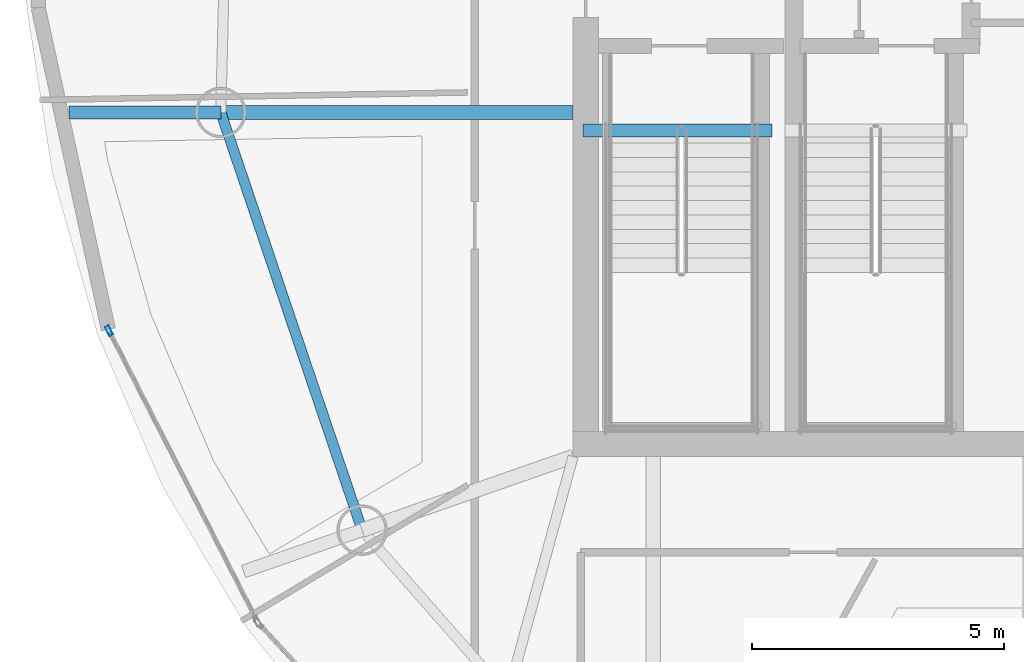
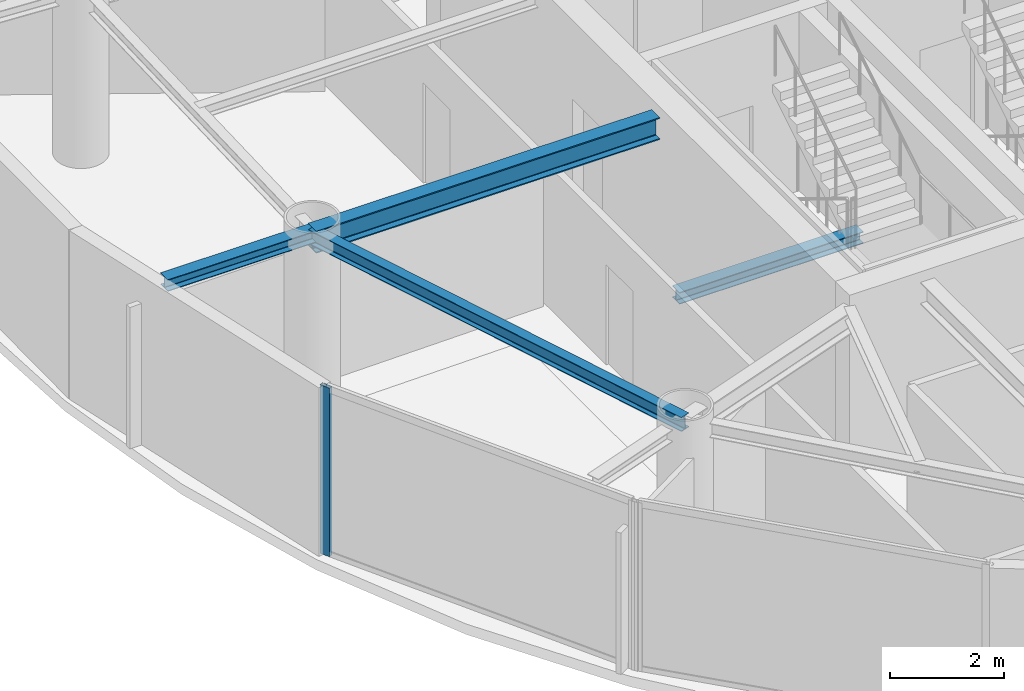
# One storey, part 7 of 22: 4 beams, 1 member, 1 element without a shape of its own.
"""IFC4 building model written with IfcOpenShell, lengths in metres."""

from ifc_helpers import new_model, si_unit, direction, frame, origin, origin_2d, place, context, subcontext, project, spatial, hollow_rectangle, i_section, extrude, material, layer, layer_set, material_profile, profile_set, type_object, element, aggregate, save


model = new_model("IFC4")

# Units and contexts
model_context = context("Model", 3, precision=1e-05, world=origin(), true_north=direction((0.0, 1.0)))
body_context = subcontext(model_context, "Body", "Model", "MODEL_VIEW")
ifc_project = project(units=[si_unit("LENGTHUNIT", "METRE"), si_unit("AREAUNIT", "SQUARE_METRE"), si_unit("VOLUMEUNIT", "CUBIC_METRE"), si_unit("PLANEANGLEUNIT", "RADIAN"), si_unit("MASSUNIT", "GRAM", prefix="KILO")], contexts=[model_context])

# Site, building, storey
site_placement = place(None, origin())
site = spatial("IfcSite", under=ifc_project, at=site_placement, CompositionType="ELEMENT")
building_placement = place(site_placement, origin())
building = spatial("IfcBuilding", under=site, at=building_placement, Name="Bramvorn Convention Spire", CompositionType="ELEMENT")
storey_placement = place(building_placement, frame((0.0, 0.0, 253.60009765625)))
storey = spatial("IfcBuildingStorey", under=building, at=storey_placement, Name="L64", CompositionType="ELEMENT", Elevation=253.60009765625)

# Beams
ifc_material_1 = material(Name="Steel CSA G40.21 Grade 350 (350W)", Category="steel")
ifc_material_profile_1 = material_profile(ifc_material_1, i_section(OverallWidth=0.25390625, OverallDepth=0.2529296875, WebThickness=0.008544921875, FlangeThickness=0.01416015625, FilletRadius=0.011962890625, at=origin_2d()))
ifc_profile_set_1 = profile_set([ifc_material_profile_1], Name="Steel CSA G40.21 Grade 350 (350W) - W250X73")
beam_type_1 = type_object("IfcBeamType", Name="BM-W250X73", PredefinedType="BEAM", material=ifc_profile_set_1)
beam_1_placement = place(storey_placement, frame((19.765380859375, 25.37060546875, 3.498291015625), z_axis=(-1.0, 0.0, 0.0), x_axis=(0.0, -1.0, 0.0)))
element("IfcBeam", 1, at=beam_1_placement, inside=storey, type_object=beam_type_1, Name="L64 slab-edge cantilever tip beam MC12", PredefinedType="BEAM", context=body_context, shape_type="SweptSolid", body=[
    extrude(i_section(OverallWidth=0.25390625, OverallDepth=0.2529296875, WebThickness=0.008544921875, FlangeThickness=0.01416015625, FilletRadius=0.011962890625, at=origin_2d()), origin(), (0.0, 0.0, 1.0), 3.009765625),
])
beam_2_placement = place(storey_placement, frame((26.949951171875, 25.010009765625, -0.126708984375), z_axis=(1.0, 0.0, 0.0), x_axis=(0.0, 1.0, 0.0)))
element("IfcBeam", 2, at=beam_2_placement, inside=storey, type_object=beam_type_1, Name="L64 ST1 stair arrival header beam", PredefinedType="BEAM", context=body_context, shape_type="SweptSolid", body=[
    extrude(i_section(OverallWidth=0.25390625, OverallDepth=0.2529296875, WebThickness=0.008544921875, FlangeThickness=0.01416015625, FilletRadius=0.011962890625, at=origin_2d()), origin(), (0.0, 0.0, 1.0), 3.739990234375),
])
ifc_material_profile_2 = material_profile(ifc_material_1, i_section(OverallWidth=0.202880859375, OverallDepth=0.302978515625, WebThickness=0.007568359375, FlangeThickness=0.01318359375, FilletRadius=0.013916015625, at=origin_2d()))
ifc_profile_set_2 = profile_set([ifc_material_profile_2], Name="Steel CSA G40.21 Grade 350 (350W) - W310X60")
beam_type_2 = type_object("IfcBeamType", Name="BM-W310X60", PredefinedType="JOIST", material=ifc_profile_set_2)
beam_3_placement = place(storey_placement, frame((19.765380859375, 25.37060546875, 3.473388671875), z_axis=(0.320531023763, -0.947238018032, 0.0), x_axis=(0.947238018032, 0.320531023763, 0.0)))
element("IfcBeam", 3, at=beam_3_placement, inside=storey, type_object=beam_type_2, Name="L64 mega-column ring beam 12", PredefinedType="JOIST", context=body_context, shape_type="SweptSolid", body=[
    extrude(i_section(OverallWidth=0.202880859375, OverallDepth=0.302978515625, WebThickness=0.007568359375, FlangeThickness=0.01318359375, FilletRadius=0.013916015625, at=origin_2d()), origin(), (0.0, 0.0, 1.0), 8.74169921875),
])
ifc_material_profile_3 = material_profile(ifc_material_1, i_section(OverallWidth=0.283935546875, OverallDepth=0.47607421875, WebThickness=0.014892578125, FlangeThickness=0.02392578125, FilletRadius=0.01806640625, at=origin_2d()))
ifc_profile_set_3 = profile_set([ifc_material_profile_3], Name="Steel CSA G40.21 Grade 350 (350W) - W460X158")
beam_type_3 = type_object("IfcBeamType", Name="BM-W460X158", PredefinedType="SPANDREL", material=ifc_profile_set_3)
beam_4_placement = place(storey_placement, frame((26.75, 25.37060546875, 3.386962890625), z_axis=(-1.0, 0.0, 0.0), x_axis=(0.0, -1.0, 0.0)))
element("IfcBeam", 4, at=beam_4_placement, inside=storey, type_object=beam_type_3, Name="L64 radial floor girder MC12", PredefinedType="SPANDREL", context=body_context, shape_type="SweptSolid", body=[
    extrude(i_section(OverallWidth=0.283935546875, OverallDepth=0.47607421875, WebThickness=0.014892578125, FlangeThickness=0.02392578125, FilletRadius=0.01806640625, at=origin_2d()), origin(), (0.0, 0.0, 1.0), 6.984619140625),
])

# Curtain wall, member
ifc_material_2 = material(Name="Anodised Bronze Unitised Curtain Wall", Category="aluminium")
ifc_layer = layer(ifc_material_2, 0.179931640625)
ifc_layer_set = layer_set([ifc_layer], Name="Anodised Bronze Unitised Curtain Wall - CW-OFF-FRIT")
curtain_wall_type = type_object("IfcCurtainWallType", Name="CW-OFF-FRIT", PredefinedType="USERDEFINED", material=ifc_layer_set)
curtain_wall_placement = place(storey_placement, origin())
curtain_wall = element("IfcCurtainWall", 5, at=curtain_wall_placement, inside=storey, type_object=curtain_wall_type, Name="L64 fritted glass curtain wall 18", ObjectType="UNITISED CURTAIN WALL", PredefinedType="USERDEFINED")
ifc_material_3 = material(Name="Anodised Bronze Aluminium 6063-T6", Category="aluminium")
ifc_material_profile_4 = material_profile(ifc_material_3, hollow_rectangle(XDim=0.080078125, YDim=0.199951171875, WallThickness=0.00390625, InnerFilletRadius=0.0009765625, OuterFilletRadius=0.00390625, at=origin_2d()))
ifc_profile_set_4 = profile_set([ifc_material_profile_4], Name="Anodised Bronze Aluminium 6063-T6 - CWM80X200")
member_type = type_object("IfcMemberType", Name="CW-MUL-180", PredefinedType="MULLION", material=ifc_profile_set_4)
member_placement = place(storey_placement, frame((17.550048828125, 21.0439453125, 0.0), z_axis=(0.0, 0.0, 1.0), x_axis=(-0.890856910511, -0.45428401358, 0.0)))
member = element("IfcMember", 6, at=member_placement, type_object=member_type, Name="CW3 mullion 2", PredefinedType="MULLION", context=body_context, shape_type="SweptSolid", body=[
    extrude(hollow_rectangle(XDim=0.080078125, YDim=0.199951171875, WallThickness=0.00390625, InnerFilletRadius=0.0009765625, OuterFilletRadius=0.00390625, at=origin_2d()), origin(), (0.0, 0.0, 1.0), 3.625),
])
aggregate(curtain_wall, [member])

save(model, "model.ifc")
